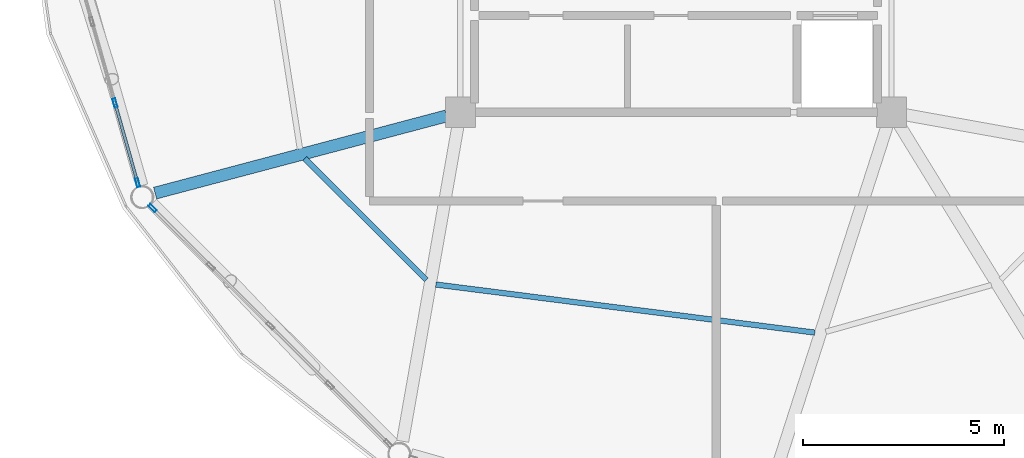
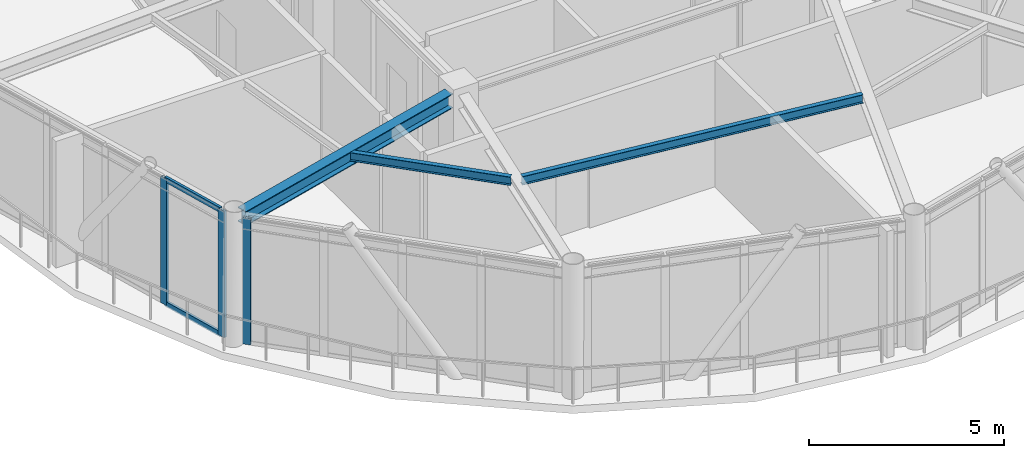
# One storey, part 3 of 21: 5 members, 3 beams, 2 elements without a shape of their own.
"""IFC4 building model written with IfcOpenShell, lengths in metres."""

import ifcopenshell
import ifcopenshell.guid

model = None  # the IFC model being written
_history = None  # IfcOwnerHistory: only IFC2X3 demands one
_inside = {}  # id of a spatial element -> (the spatial element, [elements in it])
_under = {}  # id of a project, library or spatial element -> (it, [spatial elements below it])
_declared = {}  # id of a project -> (the project, [libraries it declares])
_typed = {}  # id of a type object -> (the type object, [elements of that type])
_made_of = {}  # id of a material, layer set ... -> (it, [elements and type objects made of it])


def new_model(schema):
    """Start an empty IFC model of exactly this schema.

    Asked for "IFC4X3", IfcOpenShell would pick the latest addendum, in which some entities
    have other attributes; the version numbers below select the first issue.
    IFC2X3 requires an IfcOwnerHistory on every rooted entity: one is made here for all.
    """
    global model, _history
    if schema == "IFC4X3":
        model = ifcopenshell.file(schema_version=(4, 3, 0, 0))
    else:
        model = ifcopenshell.file(schema=schema)
    _inside.clear()
    _under.clear()
    _declared.clear()
    _typed.clear()
    _made_of.clear()
    _history = None
    if model.schema == "IFC2X3":
        org = make("IfcOrganization", Name="unknown")
        user = make(
            "IfcPersonAndOrganization",
            ThePerson=make("IfcPerson", FamilyName="unknown"),
            TheOrganization=org,
        )
        app = make(
            "IfcApplication",
            ApplicationDeveloper=org,
            Version="unknown",
            ApplicationFullName="unknown",
            ApplicationIdentifier="unknown",
        )
        _history = make(
            "IfcOwnerHistory",
            OwningUser=user,
            OwningApplication=app,
            ChangeAction="ADDED",
            CreationDate=0,
        )
    return model


def make(cls, **values):
    """One entity of the class cls with the attributes given. An attribute that is None is left unset."""
    return model.create_entity(
        cls, **{name: value for name, value in values.items() if value is not None}
    )


def rooted(cls, **values):
    """An entity with a GlobalId (a new one), such as an element, a storey or a relation."""
    return make(cls, GlobalId=ifcopenshell.guid.new(), OwnerHistory=_history, **values)


def si_unit(unit_type, name, prefix=None):
    """IfcSIUnit, for example si_unit("LENGTHUNIT", "METRE", prefix="MILLI")."""
    return make("IfcSIUnit", UnitType=unit_type, Prefix=prefix, Name=name)


def assignment(units):
    """IfcUnitAssignment: the units of a project."""
    return None if units is None else make("IfcUnitAssignment", Units=units)


def point(xyz):
    """IfcCartesianPoint."""
    return None if xyz is None else make("IfcCartesianPoint", Coordinates=xyz)


def direction(xyz):
    """IfcDirection."""
    return None if xyz is None else make("IfcDirection", DirectionRatios=xyz)


def frame(location, z_axis=None, x_axis=None):
    """IfcAxis2Placement3D, a coordinate frame: its origin and axes. An axis left out is left unset."""
    return make(
        "IfcAxis2Placement3D",
        Location=point(location),
        Axis=direction(z_axis),
        RefDirection=direction(x_axis),
    )


def frame_2d(location, x_axis=None):
    """IfcAxis2Placement2D, a coordinate frame in the plane: its origin and x axis."""
    return make(
        "IfcAxis2Placement2D", Location=point(location), RefDirection=direction(x_axis)
    )


def origin():
    """The frame at (0, 0, 0) with its axes left unset."""
    return frame((0.0, 0.0, 0.0))


def origin_2d():
    """The frame at (0, 0) in the plane with its x axis left unset."""
    return frame_2d((0.0, 0.0))


def place(relative_to, where):
    """IfcLocalPlacement: puts the frame where relative to a parent placement (None: the world)."""
    return make(
        "IfcLocalPlacement", PlacementRelTo=relative_to, RelativePlacement=where
    )


def context(
    kind, dimensions, precision=None, world=None, true_north=None, identifier=None
):
    """IfcGeometricRepresentationContext, for example the 3D "Model" context."""
    return make(
        "IfcGeometricRepresentationContext",
        ContextIdentifier=identifier,
        ContextType=kind,
        CoordinateSpaceDimension=dimensions,
        Precision=precision,
        WorldCoordinateSystem=world,
        TrueNorth=true_north,
    )


def subcontext(parent, identifier, kind, view, scale=None):
    """IfcGeometricRepresentationSubContext, for example "Body" below "Model"."""
    return make(
        "IfcGeometricRepresentationSubContext",
        ContextIdentifier=identifier,
        ContextType=kind,
        ParentContext=parent,
        TargetScale=scale,
        TargetView=view,
    )


def project(units=None, contexts=None):
    """IfcProject with its units and contexts."""
    return rooted(
        "IfcProject",
        Name="project",
        RepresentationContexts=contexts,
        UnitsInContext=assignment(units),
    )


def spatial(cls, under=None, at=None, **own):
    """A site, building, storey or space (cls), placed at a placement, below another one or the project."""
    s = rooted(cls, ObjectPlacement=at, **own)
    if under is not None:
        _under.setdefault(under.id(), (under, []))[1].append(s)
    return s


def profile(cls, at=None, kind="AREA", **sizes):
    """A parametric profile (cls). Its sizes go by their IFC names, for example OverallWidth=200.0."""
    return make(cls, ProfileType=kind, Position=at, **sizes)


def hollow_rectangle(**sizes):
    """IfcRectangleHollowProfileDef."""
    return profile("IfcRectangleHollowProfileDef", **sizes)


def i_section(**sizes):
    """IfcIShapeProfileDef."""
    return profile("IfcIShapeProfileDef", **sizes)


def extrude(swept, where, along, depth):
    """IfcExtrudedAreaSolid: the profile swept, set in the frame where, extruded along a direction by depth."""
    return make(
        "IfcExtrudedAreaSolid",
        SweptArea=swept,
        Position=where,
        ExtrudedDirection=direction(along),
        Depth=depth,
    )


def shape(context_of_items, identifier, shape_type, items):
    """IfcShapeRepresentation: the items that make up one representation, for example the "Body"."""
    return make(
        "IfcShapeRepresentation",
        ContextOfItems=context_of_items,
        RepresentationIdentifier=identifier,
        RepresentationType=shape_type,
        Items=items,
    )


def material(Name=None, Category=None):
    """IfcMaterial."""
    return make("IfcMaterial", Name=Name, Category=Category)


def layer(
    of_material, thickness, ventilated=None, Name=None, Category=None, Priority=None
):
    """IfcMaterialLayer: one layer of a wall or slab, of a material (None: an air gap)."""
    return make(
        "IfcMaterialLayer",
        Material=of_material,
        LayerThickness=thickness,
        IsVentilated=ventilated,
        Name=Name,
        Category=Category,
        Priority=Priority,
    )


def layer_set(layers, Name=None):
    """IfcMaterialLayerSet."""
    return make("IfcMaterialLayerSet", MaterialLayers=layers, LayerSetName=Name)


def material_profile(
    of_material, cross_section, Name=None, Category=None, Priority=None
):
    """IfcMaterialProfile: a cross section and its material."""
    return make(
        "IfcMaterialProfile",
        Name=Name,
        Material=of_material,
        Profile=cross_section,
        Priority=Priority,
        Category=Category,
    )


def profile_set(profiles, Name=None, composite=None):
    """IfcMaterialProfileSet."""
    return make(
        "IfcMaterialProfileSet",
        Name=Name,
        MaterialProfiles=profiles,
        CompositeProfile=composite,
    )


def made_of(thing, what):
    """Note that an element or type object is made of a material, layer set ...; save() writes the relation."""
    if what is not None:
        _made_of.setdefault(what.id(), (what, []))[1].append(thing)
    return thing


def type_object(cls, material=None, **own):
    """A type object (cls), such as IfcWallType, which elements share."""
    return made_of(rooted(cls, **own), material)


def element(
    cls,
    number,
    at=None,
    inside=None,
    cuts=None,
    type_object=None,
    material=None,
    context=None,
    identifier="Body",
    shape_type=None,
    held_by="IfcProductDefinitionShape",
    body=None,
    shapes=None,
    **own,
):
    """One element of the class cls, such as IfcWall. Its Tag is "e" and its number.

    at: its placement. inside: the storey or other place that contains it. cuts: it is an
    opening in that element (IfcRelVoidsElement). A single representation is given by context,
    identifier, shape_type and body (its items); several are given by shapes. held_by: the class
    of the entity that holds the representations. save() writes the other relations.
    """
    e = rooted(cls, Tag="e%d" % number, ObjectPlacement=at, **own)
    if body is not None:
        shapes = [shape(context, identifier, shape_type, body)]
    if shapes is not None:
        e.Representation = make(held_by, Representations=shapes)
    if inside is not None:
        _inside.setdefault(inside.id(), (inside, []))[1].append(e)
    if cuts is not None:
        rooted(
            "IfcRelVoidsElement", RelatingBuildingElement=cuts, RelatedOpeningElement=e
        )
    if type_object is not None:
        _typed.setdefault(type_object.id(), (type_object, []))[1].append(e)
    return made_of(e, material)


def aggregate(whole, parts):
    """IfcRelAggregates: a whole, such as a stair, and the parts it consists of."""
    return rooted("IfcRelAggregates", RelatingObject=whole, RelatedObjects=parts)


def save(model, path):
    """Write the relations noted so far, then the file.

    IfcRelAggregates (storeys below a building ...), IfcRelContainedInSpatialStructure (elements
    in a storey), IfcRelDefinesByType, IfcRelAssociatesMaterial and IfcRelDeclares: one each for
    every whole, place, type object, material and project.
    """
    for whole, parts in _under.values():
        aggregate(whole, parts)
    for where, things in _inside.values():
        rooted(
            "IfcRelContainedInSpatialStructure",
            RelatedElements=things,
            RelatingStructure=where,
        )
    for kind, things in _typed.values():
        rooted("IfcRelDefinesByType", RelatedObjects=things, RelatingType=kind)
    for what, things in _made_of.values():
        rooted("IfcRelAssociatesMaterial", RelatedObjects=things, RelatingMaterial=what)
    for by, libraries in _declared.values():
        rooted("IfcRelDeclares", RelatingContext=by, RelatedDefinitions=libraries)
    model.write(path)


model = new_model("IFC4")

# Units and contexts
model_context = context("Model", 3, precision=1e-05, world=origin(), true_north=direction((0.0, 1.0)))
body_context = subcontext(model_context, "Body", "Model", "MODEL_VIEW")
ifc_project = project(units=[si_unit("LENGTHUNIT", "METRE"), si_unit("AREAUNIT", "SQUARE_METRE"), si_unit("VOLUMEUNIT", "CUBIC_METRE"), si_unit("PLANEANGLEUNIT", "RADIAN"), si_unit("MASSUNIT", "GRAM", prefix="KILO")], contexts=[model_context])

# Site, building, storey
site_placement = place(None, origin())
site = spatial("IfcSite", under=ifc_project, at=site_placement, CompositionType="ELEMENT")
building_placement = place(site_placement, origin())
building = spatial("IfcBuilding", under=site, at=building_placement, Name="Varnakorn Sky Granary", CompositionType="ELEMENT")
storey_placement = place(building_placement, frame((0.0, 0.0, 298.199951171875)))
storey = spatial("IfcBuildingStorey", under=building, at=storey_placement, Name="L76", CompositionType="ELEMENT", Elevation=298.199951171875)

# Beams
ifc_material_1 = material(Name="Steel S355JR", Category="steel")
ifc_material_profile_1 = material_profile(ifc_material_1, i_section(OverallWidth=0.300048828125, OverallDepth=0.449951171875, WebThickness=0.013916015625, FlangeThickness=0.02587890625, at=origin_2d()), Name="HE 450 B")
ifc_profile_set_1 = profile_set([ifc_material_profile_1], Name="Steel S355JR")
beam_type_1 = type_object("IfcBeamType", Name="BM-RAD-Z5", PredefinedType="BEAM", material=ifc_profile_set_1)
beam_1_placement = place(storey_placement, frame((-2.693115234375, -6.69091796875, 3.735107421875), z_axis=(-0.966640395612, -0.256137356845, 0.0), x_axis=(0.256137356845, -0.966640395612, 0.0)))
element("IfcBeam", 1, at=beam_1_placement, inside=storey, type_object=beam_type_1, Name="Radial Floor Girder RG08 L76", PredefinedType="BEAM", context=body_context, shape_type="SweptSolid", body=[
    extrude(i_section(OverallWidth=0.300048828125, OverallDepth=0.449951171875, WebThickness=0.013916015625, FlangeThickness=0.02587890625, at=origin_2d()), origin(), (0.0, 0.0, 1.0), 7.4833984375),
])
ifc_material_profile_2 = material_profile(ifc_material_1, i_section(OverallWidth=0.135009765625, OverallDepth=0.27001953125, WebThickness=0.006591796875, FlangeThickness=0.01025390625, at=origin_2d()), Name="IPE 270")
ifc_profile_set_2 = profile_set([ifc_material_profile_2], Name="Steel S355JR")
beam_type_2 = type_object("IfcBeamType", Name="BM-SEC-Z5", PredefinedType="BEAM", material=ifc_profile_set_2)
beam_2_placement = place(storey_placement, frame((-6.2109375, -7.748291015625, 3.824951171875), z_axis=(0.707593700113, -0.706619526733, 0.0), x_axis=(0.706619526733, 0.707593700113, 0.0)))
element("IfcBeam", 2, at=beam_2_placement, inside=storey, type_object=beam_type_2, Name="Secondary Floor Chord Beam MSB08 L76", PredefinedType="BEAM", context=body_context, shape_type="SweptSolid", body=[
    extrude(i_section(OverallWidth=0.135009765625, OverallDepth=0.27001953125, WebThickness=0.006591796875, FlangeThickness=0.01025390625, at=origin_2d()), origin(), (0.0, 0.0, 1.0), 4.260498046875),
])
beam_3_placement = place(storey_placement, frame((-2.95849609375, -10.87548828125, 3.824951171875), z_axis=(0.992050423303, -0.125841001367, 0.0), x_axis=(0.125841001367, 0.992050423303, 0.0)))
element("IfcBeam", 3, at=beam_3_placement, inside=storey, type_object=beam_type_2, Name="Secondary Floor Chord Beam MSB09 L76", PredefinedType="BEAM", context=body_context, shape_type="SweptSolid", body=[
    extrude(i_section(OverallWidth=0.135009765625, OverallDepth=0.27001953125, WebThickness=0.006591796875, FlangeThickness=0.01025390625, at=origin_2d()), origin(), (0.0, 0.0, 1.0), 9.481201171875),
])

# Curtain wall, members
ifc_material_2 = material(Name="Anodised Bronze Aluminium Alloy 6063-T6", Category="aluminium")
ifc_layer = layer(ifc_material_2, 0.22998046875, Name="Anodised Bronze Aluminium Alloy 6063-T6")
ifc_layer_set = layer_set([ifc_layer], Name="Anodised Bronze Aluminium Alloy 6063-T6")
curtain_wall_type = type_object("IfcCurtainWallType", Name="CW-LNT-1", PredefinedType="USERDEFINED", material=ifc_layer_set)
curtain_wall_1_placement = place(storey_placement, origin())
curtain_wall_1 = element("IfcCurtainWall", 4, at=curtain_wall_1_placement, inside=storey, type_object=curtain_wall_type, Name="Unitised Curtain Wall CW7 CW-L76-B07", ObjectType="CURTAIN WALL", PredefinedType="USERDEFINED")
ifc_material_profile_3 = material_profile(ifc_material_2, hollow_rectangle(XDim=0.074951171875, YDim=0.219970703125, WallThickness=0.00390625, at=origin_2d()), Name="ALU MULL 75x220")
ifc_profile_set_3 = profile_set([ifc_material_profile_3], Name="Anodised Bronze Aluminium Alloy 6063-T6")
member_type_1 = type_object("IfcMemberType", Name="CW-LNT-1-MULL", PredefinedType="MULLION", material=ifc_profile_set_3)
member_1_placement = place(storey_placement, frame((-10.35986328125, -8.348388671875, 0.0), z_axis=(0.0, 0.0, 1.0), x_axis=(-0.962012139811, -0.273006671816, 0.0)))
member_1 = element("IfcMember", 5, at=member_1_placement, type_object=member_type_1, Name="CW7 mullion 1", PredefinedType="MULLION", context=body_context, shape_type="SweptSolid", body=[
    extrude(hollow_rectangle(XDim=0.074951171875, YDim=0.219970703125, WallThickness=0.00390625, at=origin_2d()), origin(), (0.0, 0.0, 1.0), 3.9599609375),
])
member_2_placement = place(storey_placement, frame((-10.92138671875, -6.369873046875, 0.0), z_axis=(0.0, 0.0, 1.0), x_axis=(-0.962012139811, -0.273006671816, 0.0)))
member_2 = element("IfcMember", 6, at=member_2_placement, type_object=member_type_1, Name="CW7 mullion 2", PredefinedType="MULLION", context=body_context, shape_type="SweptSolid", body=[
    extrude(hollow_rectangle(XDim=0.074951171875, YDim=0.219970703125, WallThickness=0.00390625, at=origin_2d()), origin(), (0.0, 0.0, 1.0), 3.9599609375),
])

# Curtain wall, member
curtain_wall_2_placement = place(storey_placement, origin())
curtain_wall_2 = element("IfcCurtainWall", 7, at=curtain_wall_2_placement, inside=storey, type_object=curtain_wall_type, Name="Unitised Curtain Wall CW7 CW-L76-B08", ObjectType="CURTAIN WALL", PredefinedType="USERDEFINED")
member_3_placement = place(storey_placement, frame((-9.990234375, -8.977294921875, 0.0), z_axis=(0.0, 0.0, 1.0), x_axis=(-0.706663262546, -0.707550021813, 0.0)))
member_3 = element("IfcMember", 8, at=member_3_placement, type_object=member_type_1, Name="CW7 mullion 5", PredefinedType="MULLION", context=body_context, shape_type="SweptSolid", body=[
    extrude(hollow_rectangle(XDim=0.074951171875, YDim=0.219970703125, WallThickness=0.00390625, at=origin_2d()), origin(), (0.0, 0.0, 1.0), 3.9599609375),
])
aggregate(curtain_wall_2, [member_3])

# Member
ifc_material_profile_4 = material_profile(ifc_material_2, hollow_rectangle(XDim=0.074951171875, YDim=0.159912109375, WallThickness=0.00390625, at=origin_2d()), Name="ALU TRAN 75x160")
ifc_profile_set_4 = profile_set([ifc_material_profile_4], Name="Anodised Bronze Aluminium Alloy 6063-T6")
member_type_2 = type_object("IfcMemberType", Name="CW-LNT-1-TRAN", PredefinedType="USERDEFINED", material=ifc_profile_set_4)
member_4_placement = place(storey_placement, frame((-10.3701171875, -8.312255859375, 0.03759765625), z_axis=(-0.273028339525, 0.96200599053, 0.0), x_axis=(-0.96200599053, -0.273028339525, 0.0)))
member_4 = element("IfcMember", 9, at=member_4_placement, type_object=member_type_2, Name="CW7 transom 1.1", ObjectType="TRANSOM", PredefinedType="USERDEFINED", context=body_context, shape_type="SweptSolid", body=[
    extrude(hollow_rectangle(XDim=0.074951171875, YDim=0.159912109375, WallThickness=0.00390625, at=origin_2d()), origin(), (0.0, 0.0, 1.0), 1.9814453125),
])

member_5_placement = place(storey_placement, frame((-10.3701171875, -8.312255859375, 3.922607421875), z_axis=(-0.273028339525, 0.96200599053, 0.0), x_axis=(-0.96200599053, -0.273028339525, 0.0)))
member_5 = element("IfcMember", 10, at=member_5_placement, type_object=member_type_2, Name="CW7 transom 1.2", ObjectType="TRANSOM", PredefinedType="USERDEFINED", context=body_context, shape_type="SweptSolid", body=[
    extrude(hollow_rectangle(XDim=0.074951171875, YDim=0.159912109375, WallThickness=0.00390625, at=origin_2d()), origin(), (0.0, 0.0, 1.0), 1.9814453125),
])

aggregate(curtain_wall_1, [member_1, member_2, member_4, member_5])

save(model, "model.ifc")
